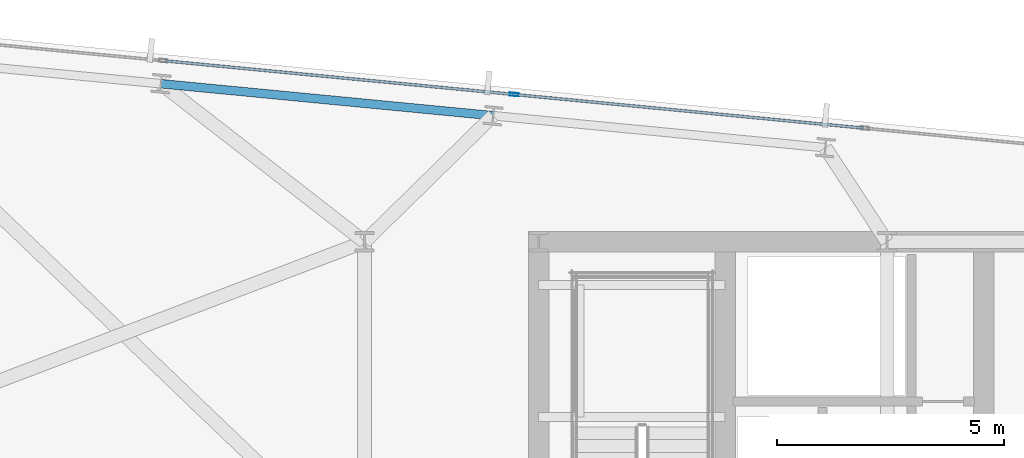
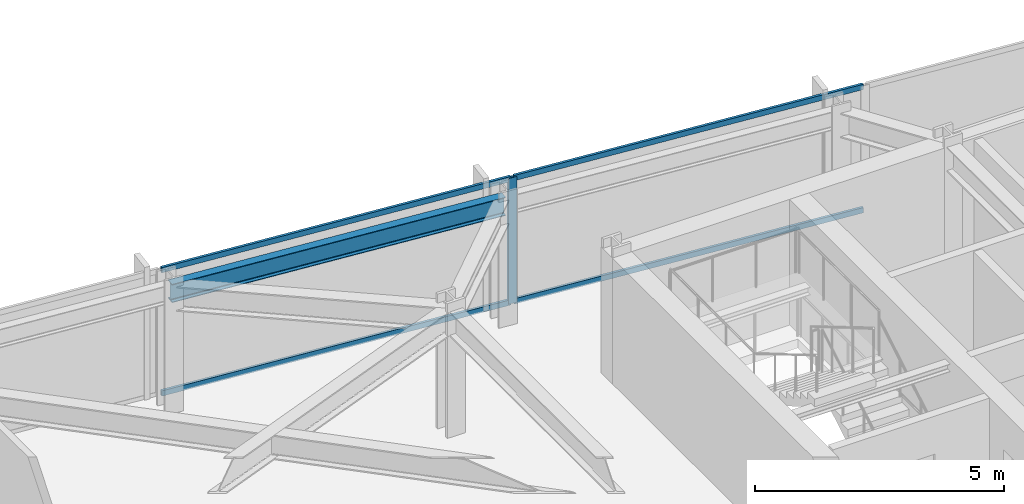
# One storey, part 25 of 37: 5 members, 1 beam, 1 element without a shape of its own.
"""IFC4 building model written with IfcOpenShell, lengths in metres."""

import ifcopenshell
import ifcopenshell.guid

model = None  # the IFC model being written
_history = None  # IfcOwnerHistory: only IFC2X3 demands one
_inside = {}  # id of a spatial element -> (the spatial element, [elements in it])
_under = {}  # id of a project, library or spatial element -> (it, [spatial elements below it])
_declared = {}  # id of a project -> (the project, [libraries it declares])
_typed = {}  # id of a type object -> (the type object, [elements of that type])
_made_of = {}  # id of a material, layer set ... -> (it, [elements and type objects made of it])


def new_model(schema):
    """Start an empty IFC model of exactly this schema.

    Asked for "IFC4X3", IfcOpenShell would pick the latest addendum, in which some entities
    have other attributes; the version numbers below select the first issue.
    IFC2X3 requires an IfcOwnerHistory on every rooted entity: one is made here for all.
    """
    global model, _history
    if schema == "IFC4X3":
        model = ifcopenshell.file(schema_version=(4, 3, 0, 0))
    else:
        model = ifcopenshell.file(schema=schema)
    _inside.clear()
    _under.clear()
    _declared.clear()
    _typed.clear()
    _made_of.clear()
    _history = None
    if model.schema == "IFC2X3":
        org = make("IfcOrganization", Name="unknown")
        user = make(
            "IfcPersonAndOrganization",
            ThePerson=make("IfcPerson", FamilyName="unknown"),
            TheOrganization=org,
        )
        app = make(
            "IfcApplication",
            ApplicationDeveloper=org,
            Version="unknown",
            ApplicationFullName="unknown",
            ApplicationIdentifier="unknown",
        )
        _history = make(
            "IfcOwnerHistory",
            OwningUser=user,
            OwningApplication=app,
            ChangeAction="ADDED",
            CreationDate=0,
        )
    return model


def make(cls, **values):
    """One entity of the class cls with the attributes given. An attribute that is None is left unset."""
    return model.create_entity(
        cls, **{name: value for name, value in values.items() if value is not None}
    )


def rooted(cls, **values):
    """An entity with a GlobalId (a new one), such as an element, a storey or a relation."""
    return make(cls, GlobalId=ifcopenshell.guid.new(), OwnerHistory=_history, **values)


def si_unit(unit_type, name, prefix=None):
    """IfcSIUnit, for example si_unit("LENGTHUNIT", "METRE", prefix="MILLI")."""
    return make("IfcSIUnit", UnitType=unit_type, Prefix=prefix, Name=name)


def assignment(units):
    """IfcUnitAssignment: the units of a project."""
    return None if units is None else make("IfcUnitAssignment", Units=units)


def point(xyz):
    """IfcCartesianPoint."""
    return None if xyz is None else make("IfcCartesianPoint", Coordinates=xyz)


def direction(xyz):
    """IfcDirection."""
    return None if xyz is None else make("IfcDirection", DirectionRatios=xyz)


def frame(location, z_axis=None, x_axis=None):
    """IfcAxis2Placement3D, a coordinate frame: its origin and axes. An axis left out is left unset."""
    return make(
        "IfcAxis2Placement3D",
        Location=point(location),
        Axis=direction(z_axis),
        RefDirection=direction(x_axis),
    )


def frame_2d(location, x_axis=None):
    """IfcAxis2Placement2D, a coordinate frame in the plane: its origin and x axis."""
    return make(
        "IfcAxis2Placement2D", Location=point(location), RefDirection=direction(x_axis)
    )


def origin():
    """The frame at (0, 0, 0) with its axes left unset."""
    return frame((0.0, 0.0, 0.0))


def origin_2d():
    """The frame at (0, 0) in the plane with its x axis left unset."""
    return frame_2d((0.0, 0.0))


def place(relative_to, where):
    """IfcLocalPlacement: puts the frame where relative to a parent placement (None: the world)."""
    return make(
        "IfcLocalPlacement", PlacementRelTo=relative_to, RelativePlacement=where
    )


def context(
    kind, dimensions, precision=None, world=None, true_north=None, identifier=None
):
    """IfcGeometricRepresentationContext, for example the 3D "Model" context."""
    return make(
        "IfcGeometricRepresentationContext",
        ContextIdentifier=identifier,
        ContextType=kind,
        CoordinateSpaceDimension=dimensions,
        Precision=precision,
        WorldCoordinateSystem=world,
        TrueNorth=true_north,
    )


def subcontext(parent, identifier, kind, view, scale=None):
    """IfcGeometricRepresentationSubContext, for example "Body" below "Model"."""
    return make(
        "IfcGeometricRepresentationSubContext",
        ContextIdentifier=identifier,
        ContextType=kind,
        ParentContext=parent,
        TargetScale=scale,
        TargetView=view,
    )


def project(units=None, contexts=None):
    """IfcProject with its units and contexts."""
    return rooted(
        "IfcProject",
        Name="project",
        RepresentationContexts=contexts,
        UnitsInContext=assignment(units),
    )


def spatial(cls, under=None, at=None, **own):
    """A site, building, storey or space (cls), placed at a placement, below another one or the project."""
    s = rooted(cls, ObjectPlacement=at, **own)
    if under is not None:
        _under.setdefault(under.id(), (under, []))[1].append(s)
    return s


def profile(cls, at=None, kind="AREA", **sizes):
    """A parametric profile (cls). Its sizes go by their IFC names, for example OverallWidth=200.0."""
    return make(cls, ProfileType=kind, Position=at, **sizes)


def hollow_rectangle(**sizes):
    """IfcRectangleHollowProfileDef."""
    return profile("IfcRectangleHollowProfileDef", **sizes)


def i_section(**sizes):
    """IfcIShapeProfileDef."""
    return profile("IfcIShapeProfileDef", **sizes)


def extrude(swept, where, along, depth):
    """IfcExtrudedAreaSolid: the profile swept, set in the frame where, extruded along a direction by depth."""
    return make(
        "IfcExtrudedAreaSolid",
        SweptArea=swept,
        Position=where,
        ExtrudedDirection=direction(along),
        Depth=depth,
    )


def shape(context_of_items, identifier, shape_type, items):
    """IfcShapeRepresentation: the items that make up one representation, for example the "Body"."""
    return make(
        "IfcShapeRepresentation",
        ContextOfItems=context_of_items,
        RepresentationIdentifier=identifier,
        RepresentationType=shape_type,
        Items=items,
    )


def material(Name=None, Category=None):
    """IfcMaterial."""
    return make("IfcMaterial", Name=Name, Category=Category)


def material_profile(
    of_material, cross_section, Name=None, Category=None, Priority=None
):
    """IfcMaterialProfile: a cross section and its material."""
    return make(
        "IfcMaterialProfile",
        Name=Name,
        Material=of_material,
        Profile=cross_section,
        Priority=Priority,
        Category=Category,
    )


def profile_set(profiles, Name=None, composite=None):
    """IfcMaterialProfileSet."""
    return make(
        "IfcMaterialProfileSet",
        Name=Name,
        MaterialProfiles=profiles,
        CompositeProfile=composite,
    )


def made_of(thing, what):
    """Note that an element or type object is made of a material, layer set ...; save() writes the relation."""
    if what is not None:
        _made_of.setdefault(what.id(), (what, []))[1].append(thing)
    return thing


def type_object(cls, material=None, **own):
    """A type object (cls), such as IfcWallType, which elements share."""
    return made_of(rooted(cls, **own), material)


def element(
    cls,
    number,
    at=None,
    inside=None,
    cuts=None,
    type_object=None,
    material=None,
    context=None,
    identifier="Body",
    shape_type=None,
    held_by="IfcProductDefinitionShape",
    body=None,
    shapes=None,
    **own,
):
    """One element of the class cls, such as IfcWall. Its Tag is "e" and its number.

    at: its placement. inside: the storey or other place that contains it. cuts: it is an
    opening in that element (IfcRelVoidsElement). A single representation is given by context,
    identifier, shape_type and body (its items); several are given by shapes. held_by: the class
    of the entity that holds the representations. save() writes the other relations.
    """
    e = rooted(cls, Tag="e%d" % number, ObjectPlacement=at, **own)
    if body is not None:
        shapes = [shape(context, identifier, shape_type, body)]
    if shapes is not None:
        e.Representation = make(held_by, Representations=shapes)
    if inside is not None:
        _inside.setdefault(inside.id(), (inside, []))[1].append(e)
    if cuts is not None:
        rooted(
            "IfcRelVoidsElement", RelatingBuildingElement=cuts, RelatedOpeningElement=e
        )
    if type_object is not None:
        _typed.setdefault(type_object.id(), (type_object, []))[1].append(e)
    return made_of(e, material)


def aggregate(whole, parts):
    """IfcRelAggregates: a whole, such as a stair, and the parts it consists of."""
    return rooted("IfcRelAggregates", RelatingObject=whole, RelatedObjects=parts)


def save(model, path):
    """Write the relations noted so far, then the file.

    IfcRelAggregates (storeys below a building ...), IfcRelContainedInSpatialStructure (elements
    in a storey), IfcRelDefinesByType, IfcRelAssociatesMaterial and IfcRelDeclares: one each for
    every whole, place, type object, material and project.
    """
    for whole, parts in _under.values():
        aggregate(whole, parts)
    for where, things in _inside.values():
        rooted(
            "IfcRelContainedInSpatialStructure",
            RelatedElements=things,
            RelatingStructure=where,
        )
    for kind, things in _typed.values():
        rooted("IfcRelDefinesByType", RelatedObjects=things, RelatingType=kind)
    for what, things in _made_of.values():
        rooted("IfcRelAssociatesMaterial", RelatedObjects=things, RelatingMaterial=what)
    for by, libraries in _declared.values():
        rooted("IfcRelDeclares", RelatingContext=by, RelatedDefinitions=libraries)
    model.write(path)


model = new_model("IFC4")

# Units and contexts
model_context = context("Model", 3, precision=1e-05, world=origin(), true_north=direction((0.0, 1.0)))
body_context = subcontext(model_context, "Body", "Model", "MODEL_VIEW")
ifc_project = project(units=[si_unit("LENGTHUNIT", "METRE"), si_unit("AREAUNIT", "SQUARE_METRE"), si_unit("VOLUMEUNIT", "CUBIC_METRE"), si_unit("PLANEANGLEUNIT", "RADIAN"), si_unit("MASSUNIT", "GRAM", prefix="KILO")], contexts=[model_context])

# Site, building, storey
site_placement = place(None, origin())
site = spatial("IfcSite", under=ifc_project, at=site_placement, CompositionType="ELEMENT")
building_placement = place(site_placement, origin())
building = spatial("IfcBuilding", under=site, at=building_placement, Name="Yelkora Congress Tower", CompositionType="ELEMENT")
storey_placement = place(building_placement, frame((0.0, 0.0, 182.0)))
storey = spatial("IfcBuildingStorey", under=building, at=storey_placement, Name="L50", CompositionType="ELEMENT", Elevation=182.0)

# Beam
ifc_material_1 = material(Name="Steel S355J2", Category="steel")
ifc_material_profile_1 = material_profile(ifc_material_1, i_section(OverallWidth=0.18994140625, OverallDepth=0.449951171875, WebThickness=0.009521484375, FlangeThickness=0.0146484375, FilletRadius=0.02099609375, at=origin_2d()), Name="IPE 450")
ifc_profile_set_1 = profile_set([ifc_material_profile_1], Name="Steel S355J2")
beam_type = type_object("IfcBeamType", Name="BM-SPAN-IPE450", PredefinedType="SPANDREL", material=ifc_profile_set_1)
beam_placement = place(storey_placement, frame((22.035400390625, 48.980224609375, 2.85498046875), z_axis=(-0.995393938538, 0.095869218844, 0.0), x_axis=(-0.095869218844, -0.995393938538, 0.0)))
element("IfcBeam", 1, at=beam_placement, inside=storey, type_object=beam_type, Name="L50 Perimeter Beam 14", PredefinedType="SPANDREL", context=body_context, shape_type="SweptSolid", body=[
    extrude(i_section(OverallWidth=0.18994140625, OverallDepth=0.449951171875, WebThickness=0.009521484375, FlangeThickness=0.0146484375, FilletRadius=0.02099609375, at=origin_2d()), origin(), (0.0, 0.0, 1.0), 7.357177734375),
])

# Curtain wall, members
ifc_material_2 = material(Name="Anodised aluminium and insulated glass", Category="aluminium")
curtain_wall_type = type_object("IfcCurtainWallType", Name="CW-SYS-B3", PredefinedType="NOTDEFINED", material=ifc_material_2)
curtain_wall_placement = place(storey_placement, origin())
curtain_wall = element("IfcCurtainWall", 2, at=curtain_wall_placement, inside=storey, type_object=curtain_wall_type, Name="L50 Unitised Curtain Wall 10 (1)", PredefinedType="NOTDEFINED")
ifc_material_3 = material(Name="Anodised aluminium 6063-T6", Category="aluminium")
ifc_material_profile_2 = material_profile(ifc_material_3, hollow_rectangle(XDim=0.070068359375, YDim=0.18994140625, WallThickness=0.00390625, at=origin_2d()), Name="ALU 70x190x4")
ifc_profile_set_2 = profile_set([ifc_material_profile_2], Name="Anodised aluminium 6063-T6")
member_type_1 = type_object("IfcMemberType", Name="MEM-ML-B3", PredefinedType="MULLION", material=ifc_profile_set_2)
member_1_placement = place(storey_placement, frame((22.496826171875, 49.4482421875, 0.0), z_axis=(0.0, 0.0, 1.0), x_axis=(0.095844761168, 0.995396293823, 0.0)))
member_1 = element("IfcMember", 3, at=member_1_placement, type_object=member_type_1, Name="CW-B3 mullion 3", PredefinedType="MULLION", context=body_context, shape_type="SweptSolid", body=[
    extrude(hollow_rectangle(XDim=0.070068359375, YDim=0.18994140625, WallThickness=0.00390625, at=origin_2d()), origin(), (0.0, 0.0, 1.0), 3.080078125),
])
ifc_material_profile_3 = material_profile(ifc_material_3, hollow_rectangle(XDim=0.06005859375, YDim=0.1298828125, WallThickness=0.00390625, at=origin_2d()), Name="ALU 60x130x4")
ifc_profile_set_3 = profile_set([ifc_material_profile_3], Name="Anodised aluminium 6063-T6")
member_type_2 = type_object("IfcMemberType", Name="MEM-TR-B3", PredefinedType="USERDEFINED", material=ifc_profile_set_3)
member_2_placement = place(storey_placement, frame((14.798095703125, 50.189697265625, 0.030029296875), z_axis=(0.995395016973, -0.095858020971, 0.0), x_axis=(0.095858020971, 0.995395016973, 0.0)))
member_2 = element("IfcMember", 4, at=member_2_placement, type_object=member_type_2, Name="CW-B3 transom 2.1", ObjectType="TRANSOM", PredefinedType="USERDEFINED", context=body_context, shape_type="SweptSolid", body=[
    extrude(hollow_rectangle(XDim=0.06005859375, YDim=0.1298828125, WallThickness=0.00390625, at=origin_2d()), origin(), (0.0, 0.0, 1.0), 7.69921875),
])
member_3_placement = place(storey_placement, frame((14.798095703125, 50.189697265625, 3.050048828125), z_axis=(0.995395016973, -0.095858020971, 0.0), x_axis=(0.095858020971, 0.995395016973, 0.0)))
member_3 = element("IfcMember", 5, at=member_3_placement, type_object=member_type_2, Name="CW-B3 transom 2.2", ObjectType="TRANSOM", PredefinedType="USERDEFINED", context=body_context, shape_type="SweptSolid", body=[
    extrude(hollow_rectangle(XDim=0.06005859375, YDim=0.1298828125, WallThickness=0.00390625, at=origin_2d()), origin(), (0.0, 0.0, 1.0), 7.69921875),
])
member_4_placement = place(storey_placement, frame((22.531494140625, 49.44482421875, 0.030029296875), z_axis=(0.995398333273, -0.095823578082, 0.0), x_axis=(0.095823578082, 0.995398333273, 0.0)))
member_4 = element("IfcMember", 6, at=member_4_placement, type_object=member_type_2, Name="CW-B3 transom 3.1", ObjectType="TRANSOM", PredefinedType="USERDEFINED", context=body_context, shape_type="SweptSolid", body=[
    extrude(hollow_rectangle(XDim=0.06005859375, YDim=0.1298828125, WallThickness=0.00390625, at=origin_2d()), origin(), (0.0, 0.0, 1.0), 7.699462890625),
])
member_5_placement = place(storey_placement, frame((22.531494140625, 49.44482421875, 3.050048828125), z_axis=(0.995398333273, -0.095823578082, 0.0), x_axis=(0.095823578082, 0.995398333273, 0.0)))
member_5 = element("IfcMember", 7, at=member_5_placement, type_object=member_type_2, Name="CW-B3 transom 3.2", ObjectType="TRANSOM", PredefinedType="USERDEFINED", context=body_context, shape_type="SweptSolid", body=[
    extrude(hollow_rectangle(XDim=0.06005859375, YDim=0.1298828125, WallThickness=0.00390625, at=origin_2d()), origin(), (0.0, 0.0, 1.0), 7.699462890625),
])
aggregate(curtain_wall, [member_1, member_2, member_3, member_4, member_5])

save(model, "model.ifc")
